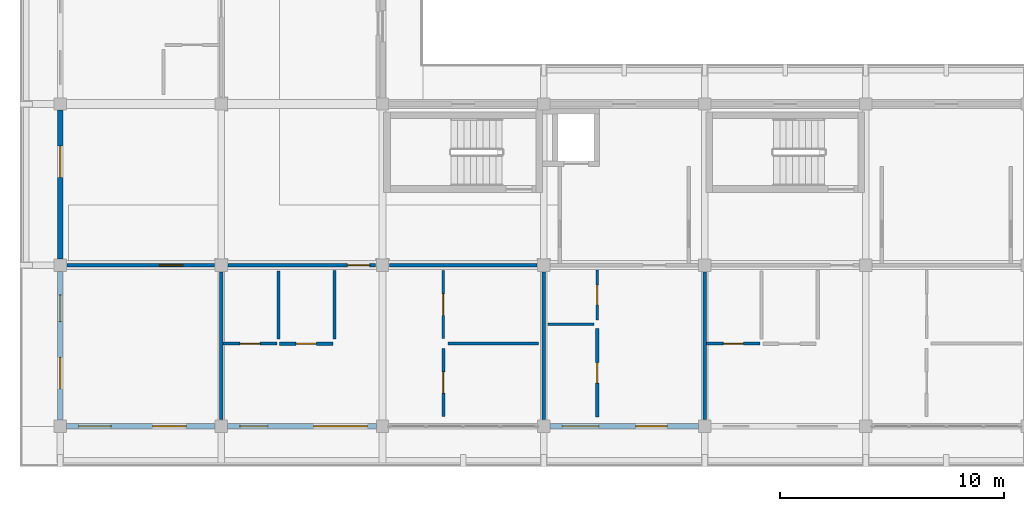
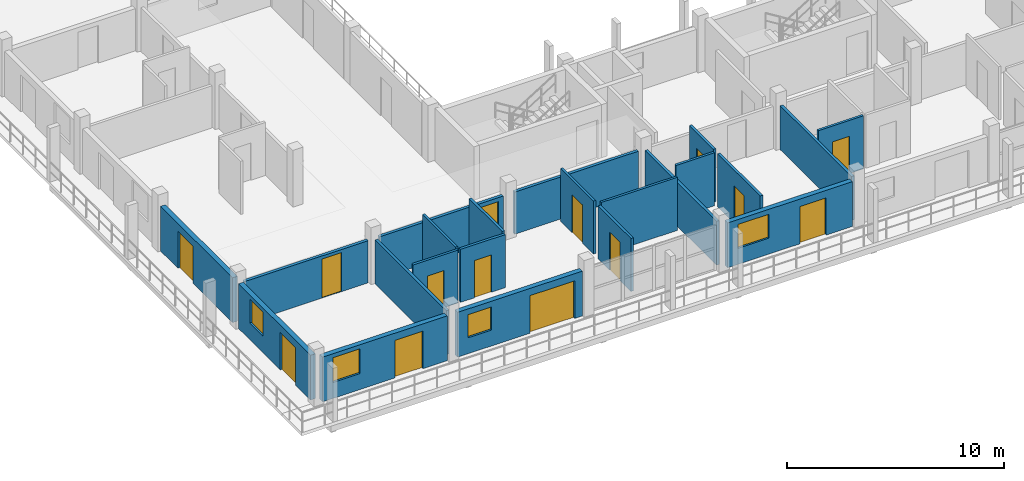
# One storey, part 34 of 67: 22 walls, 14 doors, 4 windows, 18 openings.
"""IFC4 building model written with IfcOpenShell, lengths in metres."""

from ifc_helpers import new_model, si_unit, direction, frame, frame_2d, origin, place, context, subcontext, project, spatial, rectangle, extrude, material, layer, layer_set, type_object, element, fill, save


model = new_model("IFC4")

# Units and contexts
model_context = context("Model", 3, precision=1e-05, world=origin(), true_north=direction((0.0, 1.0)))
body_context = subcontext(model_context, "Body", "Model", "MODEL_VIEW")
ifc_project = project(units=[si_unit("LENGTHUNIT", "METRE"), si_unit("AREAUNIT", "SQUARE_METRE"), si_unit("VOLUMEUNIT", "CUBIC_METRE"), si_unit("PLANEANGLEUNIT", "RADIAN"), si_unit("MASSUNIT", "GRAM", prefix="KILO")], contexts=[model_context])

# Site, building, storey
site_placement = place(None, origin())
site = spatial("IfcSite", under=ifc_project, at=site_placement, CompositionType="ELEMENT")
building_placement = place(site_placement, origin())
building = spatial("IfcBuilding", under=site, at=building_placement, Name="Suanplinth Sawtooth Commons", CompositionType="ELEMENT")
storey_placement = place(building_placement, frame((0.0, 0.0, 25.10009765625)))
storey = spatial("IfcBuildingStorey", under=building, at=storey_placement, Name="L07", CompositionType="ELEMENT", Elevation=25.10009765625)

# Wall, openings, door, window
ifc_material_1 = material(Name="Precast concrete C40/50", Category="concrete")
ifc_layer_1 = layer(ifc_material_1, 0.260009765625, Name="Insulated precast courtyard facade wall 260mm")
ifc_layer_set_1 = layer_set([ifc_layer_1], Name="Precast concrete C40/50")
wall_type_1 = type_object("IfcWallType", Name="W-EX02", PredefinedType="ELEMENTEDWALL", material=ifc_layer_set_1)
wall_1_placement = place(storey_placement, frame((0.27490234375, 0.0, 0.0), z_axis=(0.0, 0.0, 1.0), x_axis=(1.0, 0.0, 0.0)))
wall_1 = element("IfcWall", 1, at=wall_1_placement, inside=storey, type_object=wall_type_1, Name="Facade Wall W-L07-D-S-0-0", PredefinedType="ELEMENTEDWALL", context=body_context, shape_type="SweptSolid", body=[
    extrude(rectangle(XDim=6.650146484375, YDim=0.260009765625, at=frame_2d((3.3251953125, 0.0))), origin(), (0.0, 0.0, 1.0), 2.52490234375),
])
opening_1_placement = place(wall_1_placement, frame((3.85009765625, 0.0, 0.0)))
opening_1 = element("IfcOpeningElement", 2, at=opening_1_placement, cuts=wall_1, Name="Opening ED0609", PredefinedType="OPENING", context=body_context, shape_type="SweptSolid", body=[
    extrude(rectangle(XDim=1.5, YDim=2.1201171875, at=frame_2d((0.75, 1.06005859375))), frame((0.0, 0.14501953125, 0.0), z_axis=(0.0, -1.0, 0.0), x_axis=(1.0, 0.0, 0.0)), (0.0, 0.0, 1.0), 0.289794921875),
])
opening_2_placement = place(wall_1_placement, frame((0.550048828125, 0.0, 0.89990234375)))
opening_2 = element("IfcOpeningElement", 3, at=opening_2_placement, cuts=wall_1, Name="Opening W0690", PredefinedType="OPENING", context=body_context, shape_type="SweptSolid", body=[
    extrude(rectangle(XDim=1.449951171875, YDim=1.39990234375, at=frame_2d((0.72509765625, 0.699951171875))), frame((0.0, 0.14501953125, 0.0), z_axis=(0.0, -1.0, 0.0), x_axis=(1.0, 0.0, 0.0)), (0.0, 0.0, 1.0), 0.289794921875),
])
ifc_material_2 = material(Name="Anodized aluminium and low-E glass", Category="aluminium")
door_type_1 = type_object("IfcDoorType", Name="SD-03", OperationType="SLIDING_TO_LEFT", PredefinedType="DOOR", material=ifc_material_2)
door_1_placement = place(opening_1_placement, frame((1.5, 0.0, 0.0), z_axis=(0.0, 0.0, 1.0), x_axis=(-1.0, 0.0, 0.0)))
door_1 = element("IfcDoor", 4, at=door_1_placement, inside=storey, type_object=door_type_1, Name="Balcony Sliding Door L07-D-0", OperationType="SLIDING_TO_LEFT", OverallHeight=2.1201171875, OverallWidth=1.5, PredefinedType="DOOR", context=body_context, shape_type="SweptSolid", body=[
    extrude(rectangle(XDim=1.5, YDim=2.1201171875, at=frame_2d((0.75, 1.06005859375))), frame((0.0, 0.02490234375, 0.0), z_axis=(0.0, -1.0, 0.0), x_axis=(1.0, 0.0, 0.0)), (0.0, 0.0, 1.0), 0.050048828125),
])
fill(opening_1, door_1)
ifc_material_3 = material(Name="Thermally broken aluminium and low-E double glazing", Category="aluminium")
window_type_1 = type_object("IfcWindowType", Name="WN-16", PartitioningType="DOUBLE_PANEL_VERTICAL", PredefinedType="WINDOW", material=ifc_material_3)
window_1_placement = place(opening_2_placement, origin())
window_1 = element("IfcWindow", 5, at=window_1_placement, inside=storey, type_object=window_type_1, Name="Apartment Window L07-D-0", OverallHeight=1.39990234375, OverallWidth=1.449951171875, PartitioningType="DOUBLE_PANEL_VERTICAL", PredefinedType="WINDOW", context=body_context, shape_type="SweptSolid", body=[
    extrude(rectangle(XDim=1.449951171875, YDim=1.39990234375, at=frame_2d((0.72509765625, 0.699951171875))), frame((0.0, 0.030029296875, 0.0), z_axis=(0.0, -1.0, 0.0), x_axis=(1.0, 0.0, 0.0)), (0.0, 0.0, 1.0), 0.06005859375),
])
fill(opening_2, window_1)

wall_2_placement = place(storey_placement, frame((0.0, 0.27490234375, 0.0), z_axis=(0.0, 0.0, 1.0), x_axis=(0.0, 1.0, 0.0)))
wall_2 = element("IfcWall", 6, at=wall_2_placement, inside=storey, type_object=wall_type_1, Name="Facade Wall W-L07-D-W-0-0", PredefinedType="ELEMENTEDWALL", context=body_context, shape_type="SweptSolid", body=[
    extrude(rectangle(XDim=6.650146484375, YDim=0.260009765625, at=frame_2d((3.3251953125, 0.0))), origin(), (0.0, 0.0, 1.0), 2.52490234375),
])
opening_3_placement = place(wall_2_placement, frame((1.39990234375, 0.0, 0.0)))
opening_3 = element("IfcOpeningElement", 7, at=opening_3_placement, cuts=wall_2, Name="Opening ED0610", PredefinedType="OPENING", context=body_context, shape_type="SweptSolid", body=[
    extrude(rectangle(XDim=1.39990234375, YDim=2.10009765625, at=frame_2d((0.699951171875, 1.050048828125))), frame((0.0, 0.14501953125, 0.0), z_axis=(0.0, -1.0, 0.0), x_axis=(1.0, 0.0, 0.0)), (0.0, 0.0, 1.0), 0.289794921875),
])
opening_4_placement = place(wall_2_placement, frame((4.39990234375, 0.0, 0.949951171875)))
opening_4 = element("IfcOpeningElement", 8, at=opening_4_placement, cuts=wall_2, Name="Opening W0691", PredefinedType="OPENING", context=body_context, shape_type="SweptSolid", body=[
    extrude(rectangle(XDim=1.199951171875, YDim=1.35009765625, at=frame_2d((0.60009765625, 0.675048828125))), frame((0.0, 0.14501953125, 0.0), z_axis=(0.0, -1.0, 0.0), x_axis=(1.0, 0.0, 0.0)), (0.0, 0.0, 1.0), 0.289794921875),
])
door_type_2 = type_object("IfcDoorType", Name="SD-07", OperationType="SLIDING_TO_RIGHT", PredefinedType="DOOR", material=ifc_material_2)
door_2_placement = place(opening_3_placement, frame((1.39990234375, 0.0, 0.0), z_axis=(0.0, 0.0, 1.0), x_axis=(-1.0, 0.0, 0.0)))
door_2 = element("IfcDoor", 9, at=door_2_placement, inside=storey, type_object=door_type_2, Name="End Balcony Sliding Door L07-D-W-0-0", OperationType="SLIDING_TO_RIGHT", OverallHeight=2.10009765625, OverallWidth=1.39990234375, PredefinedType="DOOR", context=body_context, shape_type="SweptSolid", body=[
    extrude(rectangle(XDim=1.39990234375, YDim=2.10009765625, at=frame_2d((0.699951171875, 1.050048828125))), frame((0.0, 0.02490234375, 0.0), z_axis=(0.0, -1.0, 0.0), x_axis=(1.0, 0.0, 0.0)), (0.0, 0.0, 1.0), 0.050048828125),
])
fill(opening_3, door_2)
window_type_2 = type_object("IfcWindowType", Name="WN-03", PartitioningType="SINGLE_PANEL", PredefinedType="WINDOW", material=ifc_material_3)
window_2_placement = place(opening_4_placement, origin())
window_2 = element("IfcWindow", 10, at=window_2_placement, inside=storey, type_object=window_type_2, Name="End Bedroom Window L07-D-0-0", OverallHeight=1.35009765625, OverallWidth=1.199951171875, PartitioningType="SINGLE_PANEL", PredefinedType="WINDOW", context=body_context, shape_type="SweptSolid", body=[
    extrude(rectangle(XDim=1.199951171875, YDim=1.35009765625, at=frame_2d((0.60009765625, 0.675048828125))), frame((0.0, 0.030029296875, 0.0), z_axis=(0.0, -1.0, 0.0), x_axis=(1.0, 0.0, 0.0)), (0.0, 0.0, 1.0), 0.06005859375),
])
fill(opening_4, window_2)

# Wall, opening, door
wall_3_placement = place(storey_placement, frame((0.0, 7.47509765625, 0.0), z_axis=(0.0, 0.0, 1.0), x_axis=(0.0, 1.0, 0.0)))
wall_3 = element("IfcWall", 11, at=wall_3_placement, inside=storey, type_object=wall_type_1, Name="Facade Wall W-L07-D-W-0-1", PredefinedType="ELEMENTEDWALL", context=body_context, shape_type="SweptSolid", body=[
    extrude(rectangle(XDim=6.64990234375, YDim=0.260009765625, at=frame_2d((3.324951171875, 0.0))), origin(), (0.0, 0.0, 1.0), 2.52490234375),
])
opening_5_placement = place(wall_3_placement, frame((3.64990234375, 0.0, 0.0)))
opening_5 = element("IfcOpeningElement", 12, at=opening_5_placement, cuts=wall_3, Name="Opening ED0611", PredefinedType="OPENING", context=body_context, shape_type="SweptSolid", body=[
    extrude(rectangle(XDim=1.39990234375, YDim=2.10009765625, at=frame_2d((0.699951171875, 1.050048828125))), frame((0.0, 0.14501953125, 0.0), z_axis=(0.0, -1.0, 0.0), x_axis=(1.0, 0.0, 0.0)), (0.0, 0.0, 1.0), 0.289794921875),
])
door_3_placement = place(opening_5_placement, frame((1.39990234375, 0.0, 0.0), z_axis=(0.0, 0.0, 1.0), x_axis=(-1.0, 0.0, 0.0)))
door_3 = element("IfcDoor", 13, at=door_3_placement, inside=storey, type_object=door_type_2, Name="End Balcony Sliding Door L07-D-W-0-1", OperationType="SLIDING_TO_RIGHT", OverallHeight=2.10009765625, OverallWidth=1.39990234375, PredefinedType="DOOR", context=body_context, shape_type="SweptSolid", body=[
    extrude(rectangle(XDim=1.39990234375, YDim=2.10009765625, at=frame_2d((0.699951171875, 1.050048828125))), frame((0.0, 0.02490234375, 0.0), z_axis=(0.0, -1.0, 0.0), x_axis=(1.0, 0.0, 0.0)), (0.0, 0.0, 1.0), 0.050048828125),
])
fill(opening_5, door_3)

# Wall, openings, door, window
wall_4_placement = place(storey_placement, frame((7.47509765625, 0.0, 0.0), z_axis=(0.0, 0.0, 1.0), x_axis=(1.0, 0.0, 0.0)))
wall_4 = element("IfcWall", 14, at=wall_4_placement, inside=storey, type_object=wall_type_1, Name="Facade Wall W-L07-D-S-1-0", PredefinedType="ELEMENTEDWALL", context=body_context, shape_type="SweptSolid", body=[
    extrude(rectangle(XDim=6.64990234375, YDim=0.260009765625, at=frame_2d((3.324951171875, 0.0))), origin(), (0.0, 0.0, 1.0), 2.52490234375),
])
opening_6_placement = place(wall_4_placement, frame((3.85009765625, 0.0, 0.0)))
opening_6 = element("IfcOpeningElement", 15, at=opening_6_placement, cuts=wall_4, Name="Opening ED0615", PredefinedType="OPENING", context=body_context, shape_type="SweptSolid", body=[
    extrude(rectangle(XDim=2.39990234375, YDim=2.1201171875, at=frame_2d((1.199951171875, 1.06005859375))), frame((0.0, 0.14501953125, 0.0), z_axis=(0.0, -1.0, 0.0), x_axis=(1.0, 0.0, 0.0)), (0.0, 0.0, 1.0), 0.289794921875),
])
opening_7_placement = place(wall_4_placement, frame((0.550048828125, 0.0, 0.89990234375)))
opening_7 = element("IfcOpeningElement", 16, at=opening_7_placement, cuts=wall_4, Name="Opening W0694", PredefinedType="OPENING", context=body_context, shape_type="SweptSolid", body=[
    extrude(rectangle(XDim=1.25, YDim=1.300048828125, at=frame_2d((0.625, 0.64990234375))), frame((0.0, 0.14501953125, 0.0), z_axis=(0.0, -1.0, 0.0), x_axis=(1.0, 0.0, 0.0)), (0.0, 0.0, 1.0), 0.289794921875),
])
door_type_3 = type_object("IfcDoorType", Name="SD-04", OperationType="DOUBLE_DOOR_SLIDING", PredefinedType="DOOR", material=ifc_material_2)
door_4_placement = place(opening_6_placement, frame((2.39990234375, 0.0, 0.0), z_axis=(0.0, 0.0, 1.0), x_axis=(-1.0, 0.0, 0.0)))
door_4 = element("IfcDoor", 17, at=door_4_placement, inside=storey, type_object=door_type_3, Name="Balcony Sliding Door L07-D-1", OperationType="DOUBLE_DOOR_SLIDING", OverallHeight=2.1201171875, OverallWidth=2.39990234375, PredefinedType="DOOR", context=body_context, shape_type="SweptSolid", body=[
    extrude(rectangle(XDim=2.39990234375, YDim=2.1201171875, at=frame_2d((1.199951171875, 1.06005859375))), frame((0.0, 0.02490234375, 0.0), z_axis=(0.0, -1.0, 0.0), x_axis=(1.0, 0.0, 0.0)), (0.0, 0.0, 1.0), 0.050048828125),
])
fill(opening_6, door_4)
window_type_3 = type_object("IfcWindowType", Name="WN-17", PartitioningType="SINGLE_PANEL", PredefinedType="WINDOW", material=ifc_material_3)
window_3_placement = place(opening_7_placement, origin())
window_3 = element("IfcWindow", 18, at=window_3_placement, inside=storey, type_object=window_type_3, Name="Apartment Window L07-D-1", OverallHeight=1.300048828125, OverallWidth=1.25, PartitioningType="SINGLE_PANEL", PredefinedType="WINDOW", context=body_context, shape_type="SweptSolid", body=[
    extrude(rectangle(XDim=1.25, YDim=1.300048828125, at=frame_2d((0.625, 0.64990234375))), frame((0.0, 0.030029296875, 0.0), z_axis=(0.0, -1.0, 0.0), x_axis=(1.0, 0.0, 0.0)), (0.0, 0.0, 1.0), 0.06005859375),
])
fill(opening_7, window_3)

wall_5_placement = place(storey_placement, frame((21.875, 0.0, 0.0), z_axis=(0.0, 0.0, 1.0), x_axis=(1.0, 0.0, 0.0)))
wall_5 = element("IfcWall", 19, at=wall_5_placement, inside=storey, type_object=wall_type_1, Name="Facade Wall W-L07-D-S-3-0", PredefinedType="ELEMENTEDWALL", context=body_context, shape_type="SweptSolid", body=[
    extrude(rectangle(XDim=6.64990234375, YDim=0.260009765625, at=frame_2d((3.324951171875, 0.0))), origin(), (0.0, 0.0, 1.0), 2.52490234375),
])
opening_8_placement = place(wall_5_placement, frame((3.85009765625, 0.0, 0.0)))
opening_8 = element("IfcOpeningElement", 20, at=opening_8_placement, cuts=wall_5, Name="Opening ED0618", PredefinedType="OPENING", context=body_context, shape_type="SweptSolid", body=[
    extrude(rectangle(XDim=1.39990234375, YDim=2.10009765625, at=frame_2d((0.699951171875, 1.050048828125))), frame((0.0, 0.14501953125, 0.0), z_axis=(0.0, -1.0, 0.0), x_axis=(1.0, 0.0, 0.0)), (0.0, 0.0, 1.0), 0.289794921875),
])
opening_9_placement = place(wall_5_placement, frame((0.550048828125, 0.0, 0.89990234375)))
opening_9 = element("IfcOpeningElement", 21, at=opening_9_placement, cuts=wall_5, Name="Opening W0697", PredefinedType="OPENING", context=body_context, shape_type="SweptSolid", body=[
    extrude(rectangle(XDim=1.64990234375, YDim=1.35009765625, at=frame_2d((0.824951171875, 0.675048828125))), frame((0.0, 0.14501953125, 0.0), z_axis=(0.0, -1.0, 0.0), x_axis=(1.0, 0.0, 0.0)), (0.0, 0.0, 1.0), 0.289794921875),
])
door_5_placement = place(opening_8_placement, frame((1.39990234375, 0.0, 0.0), z_axis=(0.0, 0.0, 1.0), x_axis=(-1.0, 0.0, 0.0)))
door_5 = element("IfcDoor", 22, at=door_5_placement, inside=storey, type_object=door_type_2, Name="Balcony Sliding Door L07-D-3", OperationType="SLIDING_TO_RIGHT", OverallHeight=2.10009765625, OverallWidth=1.39990234375, PredefinedType="DOOR", context=body_context, shape_type="SweptSolid", body=[
    extrude(rectangle(XDim=1.39990234375, YDim=2.10009765625, at=frame_2d((0.699951171875, 1.050048828125))), frame((0.0, 0.02490234375, 0.0), z_axis=(0.0, -1.0, 0.0), x_axis=(1.0, 0.0, 0.0)), (0.0, 0.0, 1.0), 0.050048828125),
])
fill(opening_8, door_5)
window_type_4 = type_object("IfcWindowType", Name="WN-19", PartitioningType="DOUBLE_PANEL_VERTICAL", PredefinedType="WINDOW", material=ifc_material_3)
window_4_placement = place(opening_9_placement, origin())
window_4 = element("IfcWindow", 23, at=window_4_placement, inside=storey, type_object=window_type_4, Name="Apartment Window L07-D-3", OverallHeight=1.35009765625, OverallWidth=1.64990234375, PartitioningType="DOUBLE_PANEL_VERTICAL", PredefinedType="WINDOW", context=body_context, shape_type="SweptSolid", body=[
    extrude(rectangle(XDim=1.64990234375, YDim=1.35009765625, at=frame_2d((0.824951171875, 0.675048828125))), frame((0.0, 0.030029296875, 0.0), z_axis=(0.0, -1.0, 0.0), x_axis=(1.0, 0.0, 0.0)), (0.0, 0.0, 1.0), 0.06005859375),
])
fill(opening_9, window_4)

# Wall, opening, door
ifc_layer_2 = layer(ifc_material_1, 0.159912109375, Name="Fire-rated corridor and lobby wall 160mm")
ifc_layer_set_2 = layer_set([ifc_layer_2], Name="Precast concrete C40/50")
wall_type_2 = type_object("IfcWallType", Name="W-FW01", PredefinedType="PARTITIONING", material=ifc_layer_set_2)
wall_6_placement = place(storey_placement, frame((0.304931640625, 7.199951171875, 0.0), z_axis=(0.0, 0.0, 1.0), x_axis=(1.0, 0.0, 0.0)))
wall_6 = element("IfcWall", 24, at=wall_6_placement, inside=storey, type_object=wall_type_2, Name="W-D-L07-U01-COR", PredefinedType="PARTITIONING", context=body_context, shape_type="SweptSolid", body=[
    extrude(rectangle(XDim=6.590087890625, YDim=0.159912109375, at=frame_2d((3.294921875, 0.0))), origin(), (0.0, 0.0, 1.0), 2.375),
])
opening_10_placement = place(wall_6_placement, frame((4.1201171875, 0.0, 0.0)))
opening_10 = element("IfcOpeningElement", 25, at=opening_10_placement, cuts=wall_6, Name="Opening D1604", PredefinedType="OPENING", context=body_context, shape_type="SweptSolid", body=[
    extrude(rectangle(XDim=1.050048828125, YDim=2.199951171875, at=frame_2d((0.52490234375, 1.10009765625))), frame((0.0, 0.0947265625, 0.0), z_axis=(0.0, -1.0, 0.0), x_axis=(1.0, 0.0, 0.0)), (0.0, 0.0, 1.0), 0.189697265625),
])
ifc_material_4 = material(Name="Teak hardwood", Category="wood")
door_type_4 = type_object("IfcDoorType", Name="D-05", OperationType="NOTDEFINED", PredefinedType="DOOR", material=ifc_material_4)
door_6_placement = place(opening_10_placement, frame((1.050048828125, 0.0, 0.0), z_axis=(0.0, 0.0, 1.0), x_axis=(-1.0, 0.0, 0.0)))
door_6 = element("IfcDoor", 26, at=door_6_placement, inside=storey, type_object=door_type_4, Name="Unit Entrance Door D1604", OperationType="SINGLE_SWING_RIGHT", OverallHeight=2.199951171875, OverallWidth=1.050048828125, PredefinedType="DOOR", context=body_context, shape_type="SweptSolid", body=[
    extrude(rectangle(XDim=1.050048828125, YDim=2.199951171875, at=frame_2d((0.52490234375, 1.10009765625))), frame((0.0, 0.02490234375, 0.0), z_axis=(0.0, -1.0, 0.0), x_axis=(1.0, 0.0, 0.0)), (0.0, 0.0, 1.0), 0.050048828125),
])
fill(opening_10, door_6)

wall_7_placement = place(storey_placement, frame((7.5048828125, 7.199951171875, 0.0), z_axis=(0.0, 0.0, 1.0), x_axis=(1.0, 0.0, 0.0)))
wall_7 = element("IfcWall", 27, at=wall_7_placement, inside=storey, type_object=wall_type_2, Name="W-D-L07-U02-COR-S1", PredefinedType="PARTITIONING", context=body_context, shape_type="SweptSolid", body=[
    extrude(rectangle(XDim=6.590087890625, YDim=0.159912109375, at=frame_2d((3.294921875, 0.0))), origin(), (0.0, 0.0, 1.0), 2.375),
])
opening_11_placement = place(wall_7_placement, frame((5.324951171875, 0.0, 0.0)))
opening_11 = element("IfcOpeningElement", 28, at=opening_11_placement, cuts=wall_7, Name="Opening FD1605", PredefinedType="OPENING", context=body_context, shape_type="SweptSolid", body=[
    extrude(rectangle(XDim=1.0, YDim=2.14990234375, at=frame_2d((0.5, 1.074951171875))), frame((0.0, 0.0947265625, 0.0), z_axis=(0.0, -1.0, 0.0), x_axis=(1.0, 0.0, 0.0)), (0.0, 0.0, 1.0), 0.189697265625),
])
ifc_material_5 = material(Name="Teak hardwood fire-rated door assembly", Category="wood")
door_type_5 = type_object("IfcDoorType", Name="FD-03", OperationType="NOTDEFINED", PredefinedType="DOOR", material=ifc_material_5)
door_7_placement = place(opening_11_placement, frame((1.0, 0.0, 0.0), z_axis=(0.0, 0.0, 1.0), x_axis=(-1.0, 0.0, 0.0)))
door_7 = element("IfcDoor", 29, at=door_7_placement, inside=storey, type_object=door_type_5, Name="Unit Entrance Door FD1605", OperationType="SINGLE_SWING_LEFT", OverallHeight=2.14990234375, OverallWidth=1.0, PredefinedType="DOOR", context=body_context, shape_type="SweptSolid", body=[
    extrude(rectangle(XDim=1.0, YDim=2.14990234375, at=frame_2d((0.5, 1.074951171875))), frame((0.0, 0.02490234375, 0.0), z_axis=(0.0, -1.0, 0.0), x_axis=(1.0, 0.0, 0.0)), (0.0, 0.0, 1.0), 0.050048828125),
])
fill(opening_11, door_7)

# Walls
wall_8_placement = place(storey_placement, frame((14.705078125, 7.199951171875, 0.0), z_axis=(0.0, 0.0, 1.0), x_axis=(1.0, 0.0, 0.0)))
element("IfcWall", 30, at=wall_8_placement, inside=storey, type_object=wall_type_2, Name="W-D-L07-U02-COR-S2", PredefinedType="PARTITIONING", context=body_context, shape_type="SweptSolid", body=[
    extrude(rectangle(XDim=6.58984375, YDim=0.159912109375, at=frame_2d((3.294921875, 0.0))), origin(), (0.0, 0.0, 1.0), 2.375),
])
ifc_layer_3 = layer(ifc_material_1, 0.14990234375, Name="Acoustic precast party demising wall 150mm")
ifc_layer_set_3 = layer_set([ifc_layer_3], Name="Precast concrete C40/50")
wall_type_3 = type_object("IfcWallType", Name="W-FW02", PredefinedType="PARTITIONING", material=ifc_layer_set_3)
for number, where, z_axis, x_axis, name in (
    (31, (7.199951171875, 0.304931640625, 0.0), (0.0, 0.0, 1.0), (0.0, 1.0, 0.0), "W-D-L07-U01-PTY"),
    (32, (21.60009765625, 0.304931640625, 0.0), (0.0, 0.0, 1.0), (0.0, 1.0, 0.0), "W-D-L07-U02-PTY"),
    (33, (28.800048828125, 0.304931640625, 0.0), (0.0, 0.0, 1.0), (0.0, 1.0, 0.0), "W-D-L07-U03-PTY"),
):
    element("IfcWall", number, at=place(storey_placement, frame(where, z_axis=z_axis, x_axis=x_axis)), inside=storey, type_object=wall_type_3, Name=name, PredefinedType="PARTITIONING", context=body_context, shape_type="SweptSolid", body=[
        extrude(rectangle(XDim=6.590087890625, YDim=0.14990234375, at=frame_2d((3.294921875, 0.0))), origin(), (0.0, 0.0, 1.0), 2.474853515625),
    ])

# Wall, opening, door
ifc_material_6 = material(Name="Gypsum plasterboard on steel stud", Category="steel")
ifc_layer_4 = layer(ifc_material_6, 0.139892578125, Name="Fire-rated kitchen partition 140mm")
ifc_layer_set_4 = layer_set([ifc_layer_4], Name="Gypsum plasterboard on steel stud")
wall_type_4 = type_object("IfcWallType", Name="W-PT01", PredefinedType="PARTITIONING", material=ifc_layer_set_4)
wall_9_placement = place(storey_placement, frame((9.800048828125, 3.68994140625, 0.0), z_axis=(0.0, 0.0, 1.0), x_axis=(1.0, 0.0, 0.0)))
wall_9 = element("IfcWall", 34, at=wall_9_placement, inside=storey, type_object=wall_type_4, Name="W-D-L07-U02-KIT1", PredefinedType="PARTITIONING", context=body_context, shape_type="SweptSolid", body=[
    extrude(rectangle(XDim=2.3798828125, YDim=0.139892578125, at=frame_2d((1.18994140625, 0.0))), origin(), (0.0, 0.0, 1.0), 2.989990234375),
])
opening_12_placement = place(wall_9_placement, frame((0.72998046875, 0.0, 0.0)))
opening_12 = element("IfcOpeningElement", 35, at=opening_12_placement, cuts=wall_9, Name="Opening D1607", PredefinedType="OPENING", context=body_context, shape_type="SweptSolid", body=[
    extrude(rectangle(XDim=0.919921875, YDim=2.10009765625, at=frame_2d((0.4599609375, 1.050048828125))), frame((0.0, 0.0849609375, 0.0), z_axis=(0.0, -1.0, 0.0), x_axis=(1.0, 0.0, 0.0)), (0.0, 0.0, 1.0), 0.169677734375),
])
door_type_6 = type_object("IfcDoorType", Name="D-02", OperationType="NOTDEFINED", PredefinedType="DOOR", material=ifc_material_4)
door_8_placement = place(opening_12_placement, origin())
door_8 = element("IfcDoor", 36, at=door_8_placement, inside=storey, type_object=door_type_6, Name="Kitchen Door D1607", OperationType="SINGLE_SWING_LEFT", OverallHeight=2.10009765625, OverallWidth=0.919921875, PredefinedType="DOOR", context=body_context, shape_type="SweptSolid", body=[
    extrude(rectangle(XDim=0.919921875, YDim=2.10009765625, at=frame_2d((0.4599609375, 1.050048828125))), frame((0.0, 0.02490234375, 0.0), z_axis=(0.0, -1.0, 0.0), x_axis=(1.0, 0.0, 0.0)), (0.0, 0.0, 1.0), 0.050048828125),
])
fill(opening_12, door_8)

# Wall
wall_10_placement = place(storey_placement, frame((12.25, 3.909912109375, 0.0), z_axis=(0.0, 0.0, 1.0), x_axis=(0.0, 1.0, 0.0)))
element("IfcWall", 37, at=wall_10_placement, inside=storey, type_object=wall_type_4, Name="W-D-L07-U02-KIT2", PredefinedType="PARTITIONING", context=body_context, shape_type="SweptSolid", body=[
    extrude(rectangle(XDim=3.06005859375, YDim=0.139892578125, at=frame_2d((1.530029296875, 0.0))), origin(), (0.0, 0.0, 1.0), 2.989990234375),
])

# Wall, opening, door
wall_11_placement = place(storey_placement, frame((23.9951171875, 0.419921875, 0.0), z_axis=(0.0, 0.0, 1.0), x_axis=(0.0, 1.0, 0.0)))
wall_11 = element("IfcWall", 38, at=wall_11_placement, inside=storey, type_object=wall_type_4, Name="W-D-L07-U03-KITE", PredefinedType="PARTITIONING", context=body_context, shape_type="SweptSolid", body=[
    extrude(rectangle(XDim=3.940185546875, YDim=0.139892578125, at=frame_2d((1.97021484375, 0.0))), origin(), (0.0, 0.0, 1.0), 2.989990234375),
])
opening_13_placement = place(wall_11_placement, frame((1.510009765625, 0.0, 0.0)))
opening_13 = element("IfcOpeningElement", 39, at=opening_13_placement, cuts=wall_11, Name="Opening D1612", PredefinedType="OPENING", context=body_context, shape_type="SweptSolid", body=[
    extrude(rectangle(XDim=0.919921875, YDim=2.10009765625, at=frame_2d((0.4599609375, 1.050048828125))), frame((0.0, 0.0849609375, 0.0), z_axis=(0.0, -1.0, 0.0), x_axis=(1.0, 0.0, 0.0)), (0.0, 0.0, 1.0), 0.169677734375),
])
door_9_placement = place(opening_13_placement, origin())
door_9 = element("IfcDoor", 40, at=door_9_placement, inside=storey, type_object=door_type_6, Name="Kitchen Door D1612", OperationType="SINGLE_SWING_RIGHT", OverallHeight=2.10009765625, OverallWidth=0.919921875, PredefinedType="DOOR", context=body_context, shape_type="SweptSolid", body=[
    extrude(rectangle(XDim=0.919921875, YDim=2.10009765625, at=frame_2d((0.4599609375, 1.050048828125))), frame((0.0, 0.02490234375, 0.0), z_axis=(0.0, -1.0, 0.0), x_axis=(1.0, 0.0, 0.0)), (0.0, 0.0, 1.0), 0.050048828125),
])
fill(opening_13, door_9)

ifc_layer_5 = layer(ifc_material_6, 0.1298828125, Name="Moisture-resistant bathroom partition 130mm")
ifc_layer_set_5 = layer_set([ifc_layer_5], Name="Gypsum plasterboard on steel stud")
wall_type_5 = type_object("IfcWallType", Name="W-PT02", PredefinedType="PARTITIONING", material=ifc_layer_set_5)
wall_12_placement = place(storey_placement, frame((7.280029296875, 3.695068359375, 0.0), z_axis=(0.0, 0.0, 1.0), x_axis=(1.0, 0.0, 0.0)))
wall_12 = element("IfcWall", 41, at=wall_12_placement, inside=storey, type_object=wall_type_5, Name="W-D-L07-U02-BTH1", PredefinedType="PARTITIONING", context=body_context, shape_type="SweptSolid", body=[
    extrude(rectangle(XDim=2.39990234375, YDim=0.1298828125, at=frame_2d((1.199951171875, 0.0))), origin(), (0.0, 0.0, 1.0), 2.989990234375),
])
opening_14_placement = place(wall_12_placement, frame((0.75, 0.0, 0.0)))
opening_14 = element("IfcOpeningElement", 42, at=opening_14_placement, cuts=wall_12, Name="Opening D1606", PredefinedType="OPENING", context=body_context, shape_type="SweptSolid", body=[
    extrude(rectangle(XDim=0.89990234375, YDim=2.10009765625, at=frame_2d((0.449951171875, 1.050048828125))), frame((0.0, 0.079833984375, 0.0), z_axis=(0.0, -1.0, 0.0), x_axis=(1.0, 0.0, 0.0)), (0.0, 0.0, 1.0), 0.15966796875),
])
door_type_7 = type_object("IfcDoorType", Name="D-01", OperationType="NOTDEFINED", PredefinedType="DOOR", material=ifc_material_4)
door_10_placement = place(opening_14_placement, origin())
door_10 = element("IfcDoor", 43, at=door_10_placement, inside=storey, type_object=door_type_7, Name="Bathroom Door D1606", OperationType="SINGLE_SWING_RIGHT", OverallHeight=2.10009765625, OverallWidth=0.89990234375, PredefinedType="DOOR", context=body_context, shape_type="SweptSolid", body=[
    extrude(rectangle(XDim=0.89990234375, YDim=2.10009765625, at=frame_2d((0.449951171875, 1.050048828125))), frame((0.0, 0.02490234375, 0.0), z_axis=(0.0, -1.0, 0.0), x_axis=(1.0, 0.0, 0.0)), (0.0, 0.0, 1.0), 0.050048828125),
])
fill(opening_14, door_10)

# Walls
wall_13_placement = place(storey_placement, frame((9.7451171875, 3.89990234375, 0.0), z_axis=(0.0, 0.0, 1.0), x_axis=(0.0, 1.0, 0.0)))
element("IfcWall", 44, at=wall_13_placement, inside=storey, type_object=wall_type_5, Name="W-D-L07-U02-BTH2", PredefinedType="PARTITIONING", context=body_context, shape_type="SweptSolid", body=[
    extrude(rectangle(XDim=3.0400390625, YDim=0.1298828125, at=frame_2d((1.52001953125, 0.0))), origin(), (0.0, 0.0, 1.0), 2.989990234375),
])
wall_14_placement = place(storey_placement, frame((21.800048828125, 4.56005859375, 0.0), z_axis=(0.0, 0.0, 1.0), x_axis=(1.0, 0.0, 0.0)))
element("IfcWall", 45, at=wall_14_placement, inside=storey, type_object=wall_type_5, Name="W-D-L07-U03-STDIV", PredefinedType="PARTITIONING", context=body_context, shape_type="SweptSolid", body=[
    extrude(rectangle(XDim=2.050048828125, YDim=0.1298828125, at=frame_2d((1.02490234375, 0.0))), origin(), (0.0, 0.0, 1.0), 2.989990234375),
])

# Wall, opening, door
wall_15_placement = place(storey_placement, frame((23.9951171875, 4.760009765625, 0.0), z_axis=(0.0, 0.0, 1.0), x_axis=(0.0, 1.0, 0.0)))
wall_15 = element("IfcWall", 46, at=wall_15_placement, inside=storey, type_object=wall_type_5, Name="W-D-L07-U03-BTHE", PredefinedType="PARTITIONING", context=body_context, shape_type="SweptSolid", body=[
    extrude(rectangle(XDim=2.219970703125, YDim=0.1298828125, at=frame_2d((1.10986328125, 0.0))), origin(), (0.0, 0.0, 1.0), 2.989990234375),
])
opening_15_placement = place(wall_15_placement, frame((0.669921875, 0.0, 0.0)))
opening_15 = element("IfcOpeningElement", 47, at=opening_15_placement, cuts=wall_15, Name="Opening D1611", PredefinedType="OPENING", context=body_context, shape_type="SweptSolid", body=[
    extrude(rectangle(XDim=0.8798828125, YDim=2.10009765625, at=frame_2d((0.43994140625, 1.050048828125))), frame((0.0, 0.079833984375, 0.0), z_axis=(0.0, -1.0, 0.0), x_axis=(1.0, 0.0, 0.0)), (0.0, 0.0, 1.0), 0.15966796875),
])
door_type_8 = type_object("IfcDoorType", Name="D-14", OperationType="NOTDEFINED", PredefinedType="DOOR", material=ifc_material_4)
door_11_placement = place(opening_15_placement, origin())
door_11 = element("IfcDoor", 48, at=door_11_placement, inside=storey, type_object=door_type_8, Name="Bathroom Door D1611", OperationType="SINGLE_SWING_LEFT", OverallHeight=2.10009765625, OverallWidth=0.8798828125, PredefinedType="DOOR", context=body_context, shape_type="SweptSolid", body=[
    extrude(rectangle(XDim=0.8798828125, YDim=2.10009765625, at=frame_2d((0.43994140625, 1.050048828125))), frame((0.0, 0.02490234375, 0.0), z_axis=(0.0, -1.0, 0.0), x_axis=(1.0, 0.0, 0.0)), (0.0, 0.0, 1.0), 0.050048828125),
])
fill(opening_15, door_11)

wall_16_placement = place(storey_placement, frame((28.8798828125, 3.695068359375, 0.0), z_axis=(0.0, 0.0, 1.0), x_axis=(1.0, 0.0, 0.0)))
wall_16 = element("IfcWall", 49, at=wall_16_placement, inside=storey, type_object=wall_type_5, Name="W-D-L07-U04-BTH1", PredefinedType="PARTITIONING", context=body_context, shape_type="SweptSolid", body=[
    extrude(rectangle(XDim=2.400146484375, YDim=0.1298828125, at=frame_2d((1.2001953125, 0.0))), origin(), (0.0, 0.0, 1.0), 2.989990234375),
])
opening_16_placement = place(wall_16_placement, frame((0.75, 0.0, 0.0)))
opening_16 = element("IfcOpeningElement", 50, at=opening_16_placement, cuts=wall_16, Name="Opening D1614", PredefinedType="OPENING", context=body_context, shape_type="SweptSolid", body=[
    extrude(rectangle(XDim=0.89990234375, YDim=2.10009765625, at=frame_2d((0.449951171875, 1.050048828125))), frame((0.0, 0.079833984375, 0.0), z_axis=(0.0, -1.0, 0.0), x_axis=(1.0, 0.0, 0.0)), (0.0, 0.0, 1.0), 0.15966796875),
])
door_12_placement = place(opening_16_placement, origin())
door_12 = element("IfcDoor", 51, at=door_12_placement, inside=storey, type_object=door_type_7, Name="Bathroom Door D1614", OperationType="SINGLE_SWING_RIGHT", OverallHeight=2.10009765625, OverallWidth=0.89990234375, PredefinedType="DOOR", context=body_context, shape_type="SweptSolid", body=[
    extrude(rectangle(XDim=0.89990234375, YDim=2.10009765625, at=frame_2d((0.449951171875, 1.050048828125))), frame((0.0, 0.02490234375, 0.0), z_axis=(0.0, -1.0, 0.0), x_axis=(1.0, 0.0, 0.0)), (0.0, 0.0, 1.0), 0.050048828125),
])
fill(opening_16, door_12)

ifc_layer_6 = layer(ifc_material_6, 0.1201171875, Name="Acoustic bedroom partition 120mm")
ifc_layer_set_6 = layer_set([ifc_layer_6], Name="Gypsum plasterboard on steel stud")
wall_type_6 = type_object("IfcWallType", Name="W-PT03", PredefinedType="PARTITIONING", material=ifc_layer_set_6)
wall_17_placement = place(storey_placement, frame((17.1201171875, 3.919921875, 0.0), z_axis=(0.0, 0.0, 1.0), x_axis=(0.0, 1.0, 0.0)))
wall_17 = element("IfcWall", 52, at=wall_17_placement, inside=storey, type_object=wall_type_6, Name="W-D-L07-U02-BED2", PredefinedType="PARTITIONING", context=body_context, shape_type="SweptSolid", body=[
    extrude(rectangle(XDim=3.0400390625, YDim=0.1201171875, at=frame_2d((1.52001953125, 0.0))), origin(), (0.0, 0.0, 1.0), 2.989990234375),
])
opening_17_placement = place(wall_17_placement, frame((1.0400390625, 0.0, 0.0)))
opening_17 = element("IfcOpeningElement", 53, at=opening_17_placement, cuts=wall_17, Name="Opening D1609", PredefinedType="OPENING", context=body_context, shape_type="SweptSolid", body=[
    extrude(rectangle(XDim=0.9599609375, YDim=2.14990234375, at=frame_2d((0.47998046875, 1.074951171875))), frame((0.0, 0.074951171875, 0.0), z_axis=(0.0, -1.0, 0.0), x_axis=(1.0, 0.0, 0.0)), (0.0, 0.0, 1.0), 0.14990234375),
])
door_type_9 = type_object("IfcDoorType", Name="D-13", OperationType="NOTDEFINED", PredefinedType="DOOR", material=ifc_material_4)
door_13_placement = place(opening_17_placement, frame((0.9599609375, 0.0, 0.0), z_axis=(0.0, 0.0, 1.0), x_axis=(-1.0, 0.0, 0.0)))
door_13 = element("IfcDoor", 54, at=door_13_placement, inside=storey, type_object=door_type_9, Name="Second Bedroom Door D1609", OperationType="SINGLE_SWING_LEFT", OverallHeight=2.14990234375, OverallWidth=0.9599609375, PredefinedType="DOOR", context=body_context, shape_type="SweptSolid", body=[
    extrude(rectangle(XDim=0.9599609375, YDim=2.14990234375, at=frame_2d((0.47998046875, 1.074951171875))), frame((0.0, 0.02490234375, 0.0), z_axis=(0.0, -1.0, 0.0), x_axis=(1.0, 0.0, 0.0)), (0.0, 0.0, 1.0), 0.050048828125),
])
fill(opening_17, door_13)

# Wall
ifc_layer_7 = layer(ifc_material_6, 0.125, Name="Acoustic study partition 125mm")
ifc_layer_set_7 = layer_set([ifc_layer_7], Name="Gypsum plasterboard on steel stud")
wall_type_7 = type_object("IfcWallType", Name="W-PT06", PredefinedType="PARTITIONING", material=ifc_layer_set_7)
wall_18_placement = place(storey_placement, frame((17.320068359375, 3.699951171875, 0.0), z_axis=(0.0, 0.0, 1.0), x_axis=(1.0, 0.0, 0.0)))
element("IfcWall", 55, at=wall_18_placement, inside=storey, type_object=wall_type_7, Name="W-D-L07-U02-BEDDIV", PredefinedType="PARTITIONING", context=body_context, shape_type="SweptSolid", body=[
    extrude(rectangle(XDim=4.059814453125, YDim=0.125, at=frame_2d((2.02978515625, 0.0))), origin(), (0.0, 0.0, 1.0), 2.989990234375),
])

# Wall, opening, door
ifc_layer_8 = layer(ifc_material_6, 0.135009765625, Name="Insulated bedroom demising partition 135mm")
ifc_layer_set_8 = layer_set([ifc_layer_8], Name="Gypsum plasterboard on steel stud")
wall_type_8 = type_object("IfcWallType", Name="W-PT07", PredefinedType="PARTITIONING", material=ifc_layer_set_8)
wall_19_placement = place(storey_placement, frame((17.1201171875, 0.43994140625, 0.0), z_axis=(0.0, 0.0, 1.0), x_axis=(0.0, 1.0, 0.0)))
wall_19 = element("IfcWall", 56, at=wall_19_placement, inside=storey, type_object=wall_type_8, Name="W-D-L07-U02-BED1", PredefinedType="PARTITIONING", context=body_context, shape_type="SweptSolid", body=[
    extrude(rectangle(XDim=3.0400390625, YDim=0.135009765625, at=frame_2d((1.52001953125, 0.0))), origin(), (0.0, 0.0, 1.0), 2.989990234375),
])
opening_18_placement = place(wall_19_placement, frame((1.044921875, 0.0, 0.0)))
opening_18 = element("IfcOpeningElement", 57, at=opening_18_placement, cuts=wall_19, Name="Opening D1608", PredefinedType="OPENING", context=body_context, shape_type="SweptSolid", body=[
    extrude(rectangle(XDim=0.949951171875, YDim=2.14990234375, at=frame_2d((0.47509765625, 1.074951171875))), frame((0.0, 0.08251953125, 0.0), z_axis=(0.0, -1.0, 0.0), x_axis=(1.0, 0.0, 0.0)), (0.0, 0.0, 1.0), 0.164794921875),
])
door_type_10 = type_object("IfcDoorType", Name="D-03", OperationType="NOTDEFINED", PredefinedType="DOOR", material=ifc_material_4)
door_14_placement = place(opening_18_placement, frame((0.949951171875, 0.0, 0.0), z_axis=(0.0, 0.0, 1.0), x_axis=(-1.0, 0.0, 0.0)))
door_14 = element("IfcDoor", 58, at=door_14_placement, inside=storey, type_object=door_type_10, Name="Bedroom Door D1608", OperationType="SINGLE_SWING_RIGHT", OverallHeight=2.14990234375, OverallWidth=0.949951171875, PredefinedType="DOOR", context=body_context, shape_type="SweptSolid", body=[
    extrude(rectangle(XDim=0.949951171875, YDim=2.14990234375, at=frame_2d((0.47509765625, 1.074951171875))), frame((0.0, 0.02490234375, 0.0), z_axis=(0.0, -1.0, 0.0), x_axis=(1.0, 0.0, 0.0)), (0.0, 0.0, 1.0), 0.050048828125),
])
fill(opening_18, door_14)

save(model, "model.ifc")
